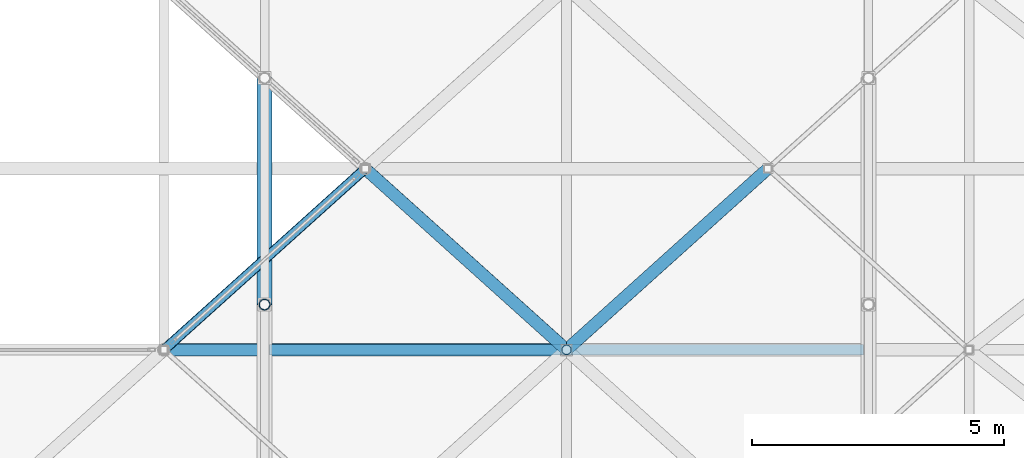
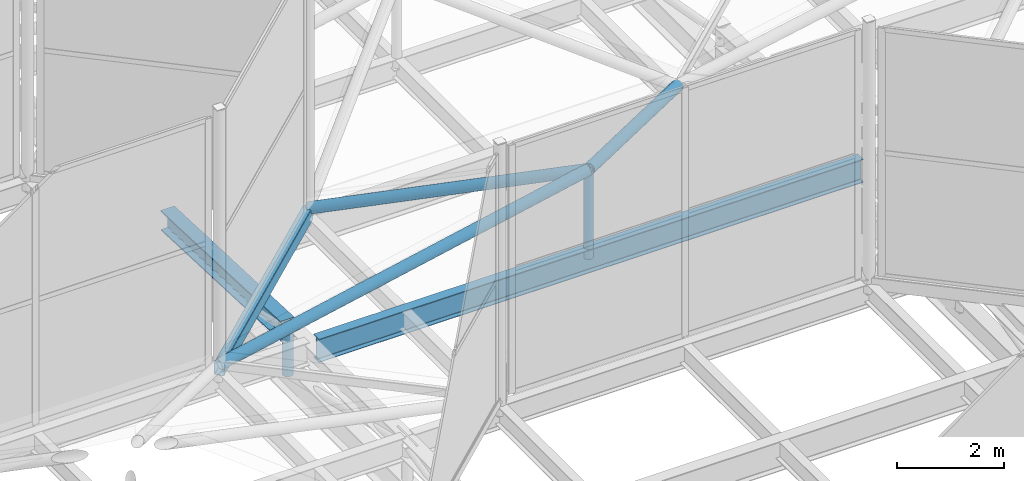
# One storey, part 126 of 239: 5 members, 3 beams.
"""IFC4 building model written with IfcOpenShell, lengths in metres."""

from ifc_helpers import new_model, si_unit, direction, frame, origin, origin_2d, place, context, subcontext, project, spatial, hollow_rectangle, hollow_circle, i_section, extrude, material, material_profile, profile_set, type_object, element, save


model = new_model("IFC4")

# Units and contexts
model_context = context("Model", 3, precision=1e-05, world=origin(), true_north=direction((0.0, 1.0)))
body_context = subcontext(model_context, "Body", "Model", "MODEL_VIEW")
ifc_project = project(units=[si_unit("LENGTHUNIT", "METRE"), si_unit("AREAUNIT", "SQUARE_METRE"), si_unit("VOLUMEUNIT", "CUBIC_METRE"), si_unit("PLANEANGLEUNIT", "RADIAN"), si_unit("MASSUNIT", "GRAM", prefix="KILO")], contexts=[model_context])

# Site, building, storey
site_placement = place(None, origin())
site = spatial("IfcSite", under=ifc_project, at=site_placement, CompositionType="ELEMENT")
building_placement = place(site_placement, origin())
building = spatial("IfcBuilding", under=site, at=building_placement, Name="Dunvalen Ferry Terminal", CompositionType="ELEMENT")
storey_placement = place(building_placement, frame((0.0, 0.0, 9.840087890625)))
storey = spatial("IfcBuildingStorey", under=building, at=storey_placement, Name="L02", CompositionType="ELEMENT", Elevation=9.840087890625)

# Beams
ifc_material = material(Name="Steel S355", Category="steel")
ifc_material_profile_1 = material_profile(ifc_material, i_section(OverallWidth=0.300048828125, OverallDepth=0.449951171875, WebThickness=0.013916015625, FlangeThickness=0.02587890625, FilletRadius=0.027099609375, at=origin_2d()), Name="Steel S355")
ifc_profile_set_1 = profile_set([ifc_material_profile_1], Name="Steel S355")
beam_type_1 = type_object("IfcBeamType", Name="STR-BM-HEB450", PredefinedType="BEAM", material=ifc_profile_set_1)
beam_1_placement = place(storey_placement, frame((72.0, 72.89990234375, 0.65869140625), z_axis=(0.0, 0.999166564808, -0.040818816368), x_axis=(-1.0, 0.0, 0.0)))
element("IfcBeam", 1, at=beam_1_placement, inside=storey, type_object=beam_type_1, Name="Departure Hall Tied-Arch Rib 06.6", PredefinedType="BEAM", context=body_context, shape_type="SweptSolid", body=[
    extrude(i_section(OverallWidth=0.300048828125, OverallDepth=0.449951171875, WebThickness=0.013916015625, FlangeThickness=0.02587890625, FilletRadius=0.027099609375, at=origin_2d()), origin(), (0.0, 0.0, 1.0), 4.503662109375),
])
ifc_material_profile_2 = material_profile(ifc_material, hollow_rectangle(XDim=0.199951171875, YDim=0.300048828125, WallThickness=0.010009765625, InnerFilletRadius=0.010009765625, OuterFilletRadius=0.02001953125, at=origin_2d()), Name="Steel S355")
ifc_profile_set_2 = profile_set([ifc_material_profile_2], Name="Steel S355")
beam_type_2 = type_object("IfcBeamType", Name="STR-BM-RHS300", PredefinedType="BEAM", material=ifc_profile_set_2)
beam_2_placement = place(storey_placement, frame((70.0, 72.0, 1.0), z_axis=(0.743285123004, 0.668974757313, 0.0), x_axis=(-0.668974757313, 0.743285123004, 0.0)))
element("IfcBeam", 2, at=beam_2_placement, inside=storey, type_object=beam_type_2, Name="HEX-32 Lantern Curb Ring Beam 3", PredefinedType="BEAM", context=body_context, shape_type="SweptSolid", body=[
    extrude(hollow_rectangle(XDim=0.199951171875, YDim=0.300048828125, WallThickness=0.010009765625, InnerFilletRadius=0.010009765625, OuterFilletRadius=0.02001953125, at=origin_2d()), origin(), (0.0, 0.0, 1.0), 5.381591796875),
])
ifc_material_profile_3 = material_profile(ifc_material, i_section(OverallWidth=0.209228515625, OverallDepth=0.533203125, WebThickness=0.010009765625, FlangeThickness=0.015625, FilletRadius=0.0126953125, at=origin_2d()), Name="Steel S355")
ifc_profile_set_3 = profile_set([ifc_material_profile_3], Name="Steel S355")
beam_type_3 = type_object("IfcBeamType", Name="STR-BM-UKB533", PredefinedType="BEAM", material=ifc_profile_set_3)
beam_3_placement = place(storey_placement, frame((72.10009765625, 72.0, 0.7333984375), z_axis=(1.0, 0.0, 0.0), x_axis=(0.0, 1.0, 0.0)))
element("IfcBeam", 3, at=beam_3_placement, inside=storey, type_object=beam_type_3, Name="Departure Hall Spine Girder B6.07", PredefinedType="BEAM", context=body_context, shape_type="SweptSolid", body=[
    extrude(i_section(OverallWidth=0.209228515625, OverallDepth=0.533203125, WebThickness=0.010009765625, FlangeThickness=0.015625, FilletRadius=0.0126953125, at=origin_2d()), origin(), (0.0, 0.0, 1.0), 11.7998046875),
])

# Members
ifc_material_profile_4 = material_profile(ifc_material, hollow_circle(Radius=0.096923828125, WallThickness=0.008056640625, at=origin_2d()), Name="Steel S355")
ifc_profile_set_4 = profile_set([ifc_material_profile_4], Name="Steel S355")
member_type_1 = type_object("IfcMemberType", Name="STR-MB-CHS193", PredefinedType="STRUT", material=ifc_profile_set_4)
member_1_placement = place(storey_placement, frame((78.0, 72.0, 0.77001953125), z_axis=(0.0, 0.0, 1.0), x_axis=(1.0, 0.0, 0.0)))
element("IfcMember", 4, at=member_1_placement, inside=storey, type_object=member_type_1, Name="HEX-37 Pyramid Apex Strut", PredefinedType="STRUT", context=body_context, shape_type="SweptSolid", body=[
    extrude(hollow_circle(Radius=0.096923828125, WallThickness=0.008056640625, at=origin_2d()), origin(), (0.0, 0.0, 1.0), 1.994873046875),
])
ifc_material_profile_5 = material_profile(ifc_material, hollow_circle(Radius=0.109619140625, WallThickness=0.010009765625, at=origin_2d()), Name="Steel S355")
ifc_profile_set_5 = profile_set([ifc_material_profile_5], Name="Steel S355")
member_type_2 = type_object("IfcMemberType", Name="STR-MB-CHS219", PredefinedType="STRUT", material=ifc_profile_set_5)
member_2_placement = place(storey_placement, frame((72.0, 72.89990234375, -0.360107421875), z_axis=(0.0, 0.0, 1.0), x_axis=(1.0, 0.0, 0.0)))
element("IfcMember", 5, at=member_2_placement, inside=storey, type_object=member_type_2, Name="Departure Hall Arch Spandrel Strut 06.5", PredefinedType="STRUT", context=body_context, shape_type="SweptSolid", body=[
    extrude(hollow_circle(Radius=0.109619140625, WallThickness=0.010009765625, at=origin_2d()), origin(), (0.0, 0.0, 1.0), 1.130126953125),
])
ifc_material_profile_6 = material_profile(ifc_material, hollow_circle(Radius=0.122314453125, WallThickness=0.010009765625, at=origin_2d()), Name="Steel S355")
ifc_profile_set_6 = profile_set([ifc_material_profile_6], Name="Steel S355")
member_type_3 = type_object("IfcMemberType", Name="STR-MB-CHS244", PredefinedType="STRUT", material=ifc_profile_set_6)
member_3_placement = place(storey_placement, frame((70.0, 72.0, 1.099853515625), z_axis=(0.979020171275, 0.0, 0.203763353518), x_axis=(0.0, 1.0, 0.0)))
element("IfcMember", 6, at=member_3_placement, inside=storey, type_object=member_type_3, Name="HEX-37 Pyramid Hip Rafter 1", PredefinedType="STRUT", context=body_context, shape_type="SweptSolid", body=[
    extrude(hollow_circle(Radius=0.122314453125, WallThickness=0.010009765625, at=origin_2d()), origin(), (0.0, 0.0, 1.0), 8.17138671875),
])
for number, where, z_axis, x_axis, name in (
    (7, (82.0, 75.60009765625, 1.099853515625), (-0.710074680578, -0.639084548328, 0.295575520114), (0.668974757313, -0.743285123004, 0.0), "HEX-37 Pyramid Hip Rafter 5"),
    (8, (74.0, 75.60009765625, 1.099853515625), (0.710074680578, -0.639084548328, 0.295575520114), (0.668974757313, 0.743285123004, 0.0), "HEX-37 Pyramid Hip Rafter 6"),
):
    element("IfcMember", number, at=place(storey_placement, frame(where, z_axis=z_axis, x_axis=x_axis)), inside=storey, type_object=member_type_3, Name=name, PredefinedType="STRUT", context=body_context, shape_type="SweptSolid", body=[
        extrude(hollow_circle(Radius=0.122314453125, WallThickness=0.010009765625, at=origin_2d()), origin(), (0.0, 0.0, 1.0), 5.63330078125),
    ])

save(model, "model.ifc")
